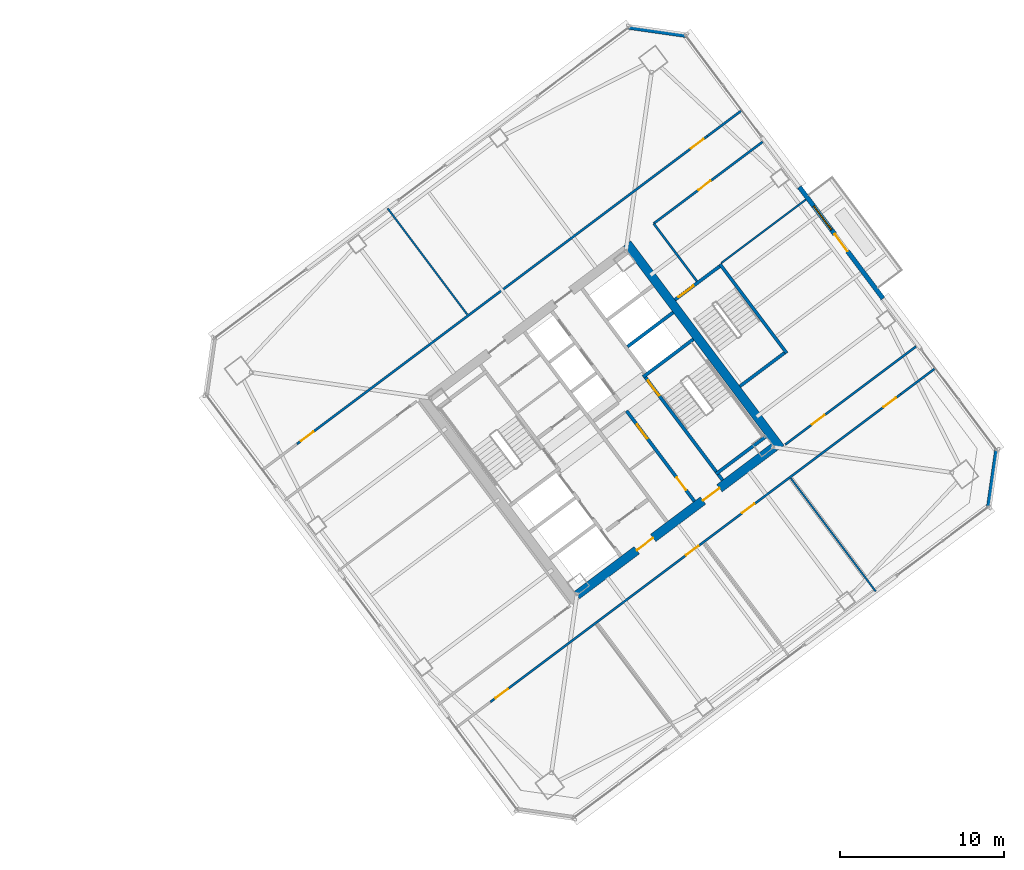
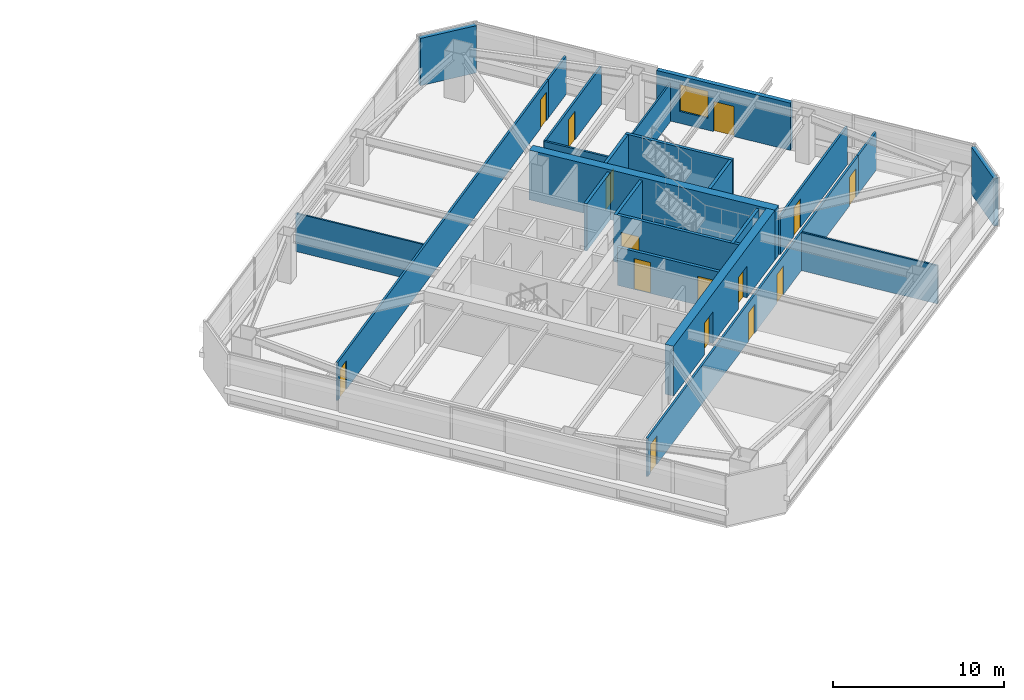
# One storey, part 37 of 44: 23 walls, 15 doors, 1 window, 16 openings.
"""IFC4 building model written with IfcOpenShell, lengths in metres."""

from ifc_helpers import new_model, si_unit, direction, frame, frame_2d, origin, place, context, subcontext, project, spatial, rectangle, extrude, material, layer, layer_set, type_object, element, fill, save


model = new_model("IFC4")

# Units and contexts
model_context = context("Model", 3, precision=1e-05, world=origin(), true_north=direction((0.0, 1.0)))
body_context = subcontext(model_context, "Body", "Model", "MODEL_VIEW")
ifc_project = project(units=[si_unit("LENGTHUNIT", "METRE"), si_unit("AREAUNIT", "SQUARE_METRE"), si_unit("VOLUMEUNIT", "CUBIC_METRE"), si_unit("PLANEANGLEUNIT", "RADIAN"), si_unit("MASSUNIT", "GRAM", prefix="KILO")], contexts=[model_context])

# Site, building, storey
site_placement = place(None, origin())
site = spatial("IfcSite", under=ifc_project, at=site_placement, CompositionType="ELEMENT")
building_placement = place(site_placement, origin())
building = spatial("IfcBuilding", under=site, at=building_placement, Name="Tashvorn Skyway Center", CompositionType="ELEMENT")
storey_placement = place(building_placement, frame((0.0, 0.0, 128.60009765625)))
storey = spatial("IfcBuildingStorey", under=building, at=storey_placement, Name="L34", CompositionType="ELEMENT", Elevation=128.60009765625)

# Wall
ifc_material_1 = material(Name="Concrete C60/75", Category="concrete")
ifc_layer_1 = layer(ifc_material_1, 0.550048828125)
ifc_layer_set_1 = layer_set([ifc_layer_1], Name="Concrete C60/75")
wall_type_1 = type_object("IfcWallType", Name="WALL-CORE-550", PredefinedType="SHEAR", material=ifc_layer_set_1)
wall_1_placement = place(storey_placement, frame((115.56396484375, 42.923095703125, 0.0), z_axis=(0.0, 0.0, 1.0), x_axis=(0.600005007985, -0.799996243986, 0.0)))
element("IfcWall", 1, at=wall_1_placement, inside=storey, type_object=wall_type_1, Name="Tower 2 L34 East Core Shear Wall", PredefinedType="SHEAR", context=body_context, shape_type="SweptSolid", body=[
    extrude(rectangle(XDim=15.60009765625, YDim=0.550048828125, at=frame_2d((7.800048828125, 0.0))), origin(), (0.0, 0.0, 1.0), 3.5498046875),
])

# Wall, openings, doors
wall_2_placement = place(storey_placement, frame((124.5390625, 30.498046875, 0.0), z_axis=(0.0, 0.0, 1.0), x_axis=(-0.799998054672, -0.600002593761, 0.0)))
wall_2 = element("IfcWall", 2, at=wall_2_placement, inside=storey, type_object=wall_type_1, Name="Tower 2 L34 South Core Shear Wall", PredefinedType="SHEAR", context=body_context, shape_type="SweptSolid", body=[
    extrude(rectangle(XDim=15.06005859375, YDim=0.550048828125, at=frame_2d((7.530029296875, 0.0))), origin(), (0.0, 0.0, 1.0), 3.5498046875),
])
opening_1_placement = place(wall_2_placement, frame((9.22998046875, 0.0, 0.0)))
opening_1 = element("IfcOpeningElement", 3, at=opening_1_placement, cuts=wall_2, Name="Opening D-FFL-1250", PredefinedType="OPENING", context=body_context, shape_type="SweptSolid", body=[
    extrude(rectangle(XDim=1.25, YDim=2.25, at=frame_2d((0.625, 1.125))), frame((0.0, 0.284912109375, 0.0), z_axis=(0.0, -1.0, 0.0), x_axis=(1.0, 0.0, 0.0)), (0.0, 0.0, 1.0), 0.570068359375),
])
opening_2_placement = place(wall_2_placement, frame((4.179931640625, 0.0, 0.0)))
opening_2 = element("IfcOpeningElement", 4, at=opening_2_placement, cuts=wall_2, Name="Opening D-FFL-1250", PredefinedType="OPENING", context=body_context, shape_type="SweptSolid", body=[
    extrude(rectangle(XDim=1.25, YDim=2.25, at=frame_2d((0.625, 1.125))), frame((0.0, 0.284912109375, 0.0), z_axis=(0.0, -1.0, 0.0), x_axis=(1.0, 0.0, 0.0)), (0.0, 0.0, 1.0), 0.570068359375),
])
ifc_material_2 = material(Name="Hollow galvanized steel fire door assembly", Category="steel")
door_type_1 = type_object("IfcDoorType", Name="DOOR-FFL-1250", OperationType="NOTDEFINED", PredefinedType="DOOR", material=ifc_material_2)
door_1_placement = place(opening_1_placement, origin())
door_1 = element("IfcDoor", 5, at=door_1_placement, inside=storey, type_object=door_type_1, Name="Tower 2 L34 Core South Firefighting Exit Door", OperationType="SINGLE_SWING_LEFT", OverallHeight=2.25, OverallWidth=1.25, PredefinedType="DOOR", context=body_context, shape_type="SweptSolid", body=[
    extrude(rectangle(XDim=1.25, YDim=2.25, at=frame_2d((0.625, 1.125))), frame((0.0, 0.02490234375, 0.0), z_axis=(0.0, -1.0, 0.0), x_axis=(1.0, 0.0, 0.0)), (0.0, 0.0, 1.0), 0.050048828125),
])
fill(opening_1, door_1)
door_2_placement = place(opening_2_placement, origin())
door_2 = element("IfcDoor", 6, at=door_2_placement, inside=storey, type_object=door_type_1, Name="Tower 2 L34 Core South Lift Lobby Door", OperationType="SINGLE_SWING_RIGHT", OverallHeight=2.25, OverallWidth=1.25, PredefinedType="DOOR", context=body_context, shape_type="SweptSolid", body=[
    extrude(rectangle(XDim=1.25, YDim=2.25, at=frame_2d((0.625, 1.125))), frame((0.0, 0.02490234375, 0.0), z_axis=(0.0, -1.0, 0.0), x_axis=(1.0, 0.0, 0.0)), (0.0, 0.0, 1.0), 0.050048828125),
])
fill(opening_2, door_2)

# Wall, openings, door, window
ifc_material_3 = material(Name="Precast concrete C40/50", Category="concrete")
ifc_layer_2 = layer(ifc_material_3, 0.280029296875)
ifc_layer_set_2 = layer_set([ifc_layer_2], Name="Precast concrete C40/50")
wall_type_2 = type_object("IfcWallType", Name="WALL-EXT-280", PredefinedType="SOLIDWALL", material=ifc_layer_set_2)
wall_3_placement = place(storey_placement, frame((126.073974609375, 46.367919921875, 0.0), z_axis=(0.0, 0.0, 1.0), x_axis=(0.600018382406, -0.799986212866, 0.0)))
wall_3 = element("IfcWall", 7, at=wall_3_placement, inside=storey, type_object=wall_type_2, Name="Tower 2 L34 East Terrace Portal Wall", PredefinedType="SOLIDWALL", context=body_context, shape_type="SweptSolid", body=[
    extrude(rectangle(XDim=8.5, YDim=0.280029296875, at=frame_2d((4.25, 0.0))), origin(), (0.0, 0.0, 1.0), 3.369873046875),
])
opening_3_placement = place(wall_3_placement, frame((3.60009765625, 0.0, 0.0)))
opening_3 = element("IfcOpeningElement", 8, at=opening_3_placement, cuts=wall_3, Name="Opening D-TER-1300", PredefinedType="OPENING", context=body_context, shape_type="SweptSolid", body=[
    extrude(rectangle(XDim=1.300048828125, YDim=2.14990234375, at=frame_2d((0.64990234375, 1.074951171875))), frame((0.0, 0.14990234375, 0.0), z_axis=(0.0, -1.0, 0.0), x_axis=(1.0, 0.0, 0.0)), (0.0, 0.0, 1.0), 0.300048828125),
])
opening_4_placement = place(wall_3_placement, frame((1.4599609375, 0.0, 0.85009765625)))
opening_4 = element("IfcOpeningElement", 9, at=opening_4_placement, cuts=wall_3, Name="Opening WIN-1800", PredefinedType="OPENING", context=body_context, shape_type="SweptSolid", body=[
    extrude(rectangle(XDim=1.800048828125, YDim=1.919921875, at=frame_2d((0.89990234375, 0.9599609375))), frame((0.0, 0.14990234375, 0.0), z_axis=(0.0, -1.0, 0.0), x_axis=(1.0, 0.0, 0.0)), (0.0, 0.0, 1.0), 0.300048828125),
])
ifc_material_4 = material(Name="Thermally broken bronze-anodized aluminium 6063-T6", Category="aluminium")
door_type_2 = type_object("IfcDoorType", Name="DOOR-TERR-1300", OperationType="NOTDEFINED", PredefinedType="DOOR", material=ifc_material_4)
door_3_placement = place(opening_3_placement, origin())
door_3 = element("IfcDoor", 10, at=door_3_placement, inside=storey, type_object=door_type_2, Name="Tower 2 L34 Terrace Access Door", OperationType="SINGLE_SWING_LEFT", OverallHeight=2.14990234375, OverallWidth=1.300048828125, PredefinedType="DOOR", context=body_context, shape_type="SweptSolid", body=[
    extrude(rectangle(XDim=1.300048828125, YDim=2.14990234375, at=frame_2d((0.64990234375, 1.074951171875))), frame((0.0, 0.02490234375, 0.0), z_axis=(0.0, -1.0, 0.0), x_axis=(1.0, 0.0, 0.0)), (0.0, 0.0, 1.0), 0.050048828125),
])
fill(opening_3, door_3)
ifc_material_5 = material(Name="Low-E solar-control double insulating safety glass", Category="glass")
window_type = type_object("IfcWindowType", Name="WIN-TERR-1800", PartitioningType="SINGLE_PANEL", PredefinedType="WINDOW", material=ifc_material_5)
window_placement = place(opening_4_placement, origin())
window = element("IfcWindow", 11, at=window_placement, inside=storey, type_object=window_type, Name="Tower 2 L34 Terrace Window", OverallHeight=1.919921875, OverallWidth=1.800048828125, PartitioningType="SINGLE_PANEL", PredefinedType="WINDOW", context=body_context, shape_type="SweptSolid", body=[
    extrude(rectangle(XDim=1.800048828125, YDim=1.919921875, at=frame_2d((0.89990234375, 0.9599609375))), frame((0.0, 0.030029296875, 0.0), z_axis=(0.0, -1.0, 0.0), x_axis=(1.0, 0.0, 0.0)), (0.0, 0.0, 1.0), 0.06005859375),
])
fill(opening_4, window)

# Walls
for number, where, z_axis, x_axis, name in (
    (12, (115.659912109375, 56.1201171875, 0.0), (0.0, 0.0, 1.0), (0.989949493661, -0.141421356237, 0.0), "Tower 2 L34 NE Precast Chamfer Wall"),
    (13, (138.1201171875, 30.340087890625, 0.0), (0.0, 0.0, 1.0), (-0.141421356237, -0.989949493661, 0.0), "Tower 2 L34 SE Precast Chamfer Wall"),
):
    element("IfcWall", number, at=place(storey_placement, frame(where, z_axis=z_axis, x_axis=x_axis)), inside=storey, type_object=wall_type_2, Name=name, PredefinedType="SOLIDWALL", context=body_context, shape_type="SweptSolid", body=[
        extrude(rectangle(XDim=3.53564453125, YDim=0.280029296875, at=frame_2d((1.767822265625, 0.0))), origin(), (0.0, 0.0, 1.0), 3.369873046875),
    ])
ifc_material_6 = material(Name="Gypsum board on cold-formed steel stud framing", Category="steel")
ifc_layer_3 = layer(ifc_material_6, 0.110107421875)
ifc_layer_set_3 = layer_set([ifc_layer_3], Name="Gypsum board on cold-formed steel stud framing")
wall_type_3 = type_object("IfcWallType", Name="WALL-PART-110", PredefinedType="PARTITIONING", material=ifc_layer_set_3)
wall_4_placement = place(storey_placement, frame((105.81201171875, 38.583984375, 0.0), z_axis=(0.0, 0.0, 1.0), x_axis=(-0.60000964496, 0.799992766189, 0.0)))
element("IfcWall", 14, at=wall_4_placement, inside=storey, type_object=wall_type_3, Name="Tower 2 L34 North Suite Partition 1", PredefinedType="PARTITIONING", context=body_context, shape_type="SweptSolid", body=[
    extrude(rectangle(XDim=8.10009765625, YDim=0.110107421875, at=frame_2d((4.050048828125, 0.0))), origin(), (0.0, 0.0, 1.0), 2.722900390625),
])
wall_5_placement = place(storey_placement, frame((130.72802734375, 21.696044921875, 0.0), z_axis=(0.0, 0.0, 1.0), x_axis=(-0.599995473644, 0.800003394747, 0.0)))
element("IfcWall", 15, at=wall_5_placement, inside=storey, type_object=wall_type_3, Name="Tower 2 L34 South Suite Partition 3", PredefinedType="PARTITIONING", context=body_context, shape_type="SweptSolid", body=[
    extrude(rectangle(XDim=8.630126953125, YDim=0.110107421875, at=frame_2d((4.31494140625, 0.0))), origin(), (0.0, 0.0, 1.0), 2.722900390625),
])
wall_6_placement = place(storey_placement, frame((126.464111328125, 45.597900390625, 0.0), z_axis=(0.0, 0.0, 1.0), x_axis=(-0.8000181681, -0.599975775102, 0.0)))
element("IfcWall", 16, at=wall_6_placement, inside=storey, type_object=wall_type_3, Name="Tower 2 L34 East Suite Partition 1", PredefinedType="PARTITIONING", context=body_context, shape_type="SweptSolid", body=[
    extrude(rectangle(XDim=6.449951171875, YDim=0.110107421875, at=frame_2d((3.22509765625, 0.0))), origin(), (0.0, 0.0, 1.0), 2.722900390625),
])
ifc_layer_4 = layer(ifc_material_6, 0.135009765625)
ifc_layer_set_4 = layer_set([ifc_layer_4], Name="Gypsum board on cold-formed steel stud framing")
wall_type_4 = type_object("IfcWallType", Name="WALL-PART-135", PredefinedType="PARTITIONING", material=ifc_layer_set_4)
wall_7_placement = place(storey_placement, frame((119.823974609375, 40.617919921875, 0.0), z_axis=(0.0, 0.0, 1.0), x_axis=(-0.599982243973, 0.800013316712, 0.0)))
element("IfcWall", 17, at=wall_7_placement, inside=storey, type_object=wall_type_4, Name="Tower 2 L34 Stair 3 Access Corridor Wall", PredefinedType="PARTITIONING", context=body_context, shape_type="SweptSolid", body=[
    extrude(rectangle(XDim=4.39990234375, YDim=0.135009765625, at=frame_2d((2.199951171875, 0.0))), origin(), (0.0, 0.0, 1.0), 2.722900390625),
])

# Wall, openings, doors
wall_8_placement = place(storey_placement, frame((95.419921875, 30.68994140625, 0.0), z_axis=(0.0, 0.0, 1.0), x_axis=(0.8, 0.6, 0.0)))
wall_8 = element("IfcWall", 18, at=wall_8_placement, inside=storey, type_object=wall_type_4, Name="Tower 2 L34 North Suite Wall", PredefinedType="PARTITIONING", context=body_context, shape_type="SweptSolid", body=[
    extrude(rectangle(XDim=31.300048828125, YDim=0.135009765625, at=frame_2d((15.64990234375, 0.0))), origin(), (0.0, 0.0, 1.0), 2.722900390625),
])
opening_5_placement = place(wall_8_placement, frame((0.300048828125, 0.0, 0.0)))
opening_5 = element("IfcOpeningElement", 19, at=opening_5_placement, cuts=wall_8, Name="Opening D-INT-950", PredefinedType="OPENING", context=body_context, shape_type="SweptSolid", body=[
    extrude(rectangle(XDim=0.949951171875, YDim=2.050048828125, at=frame_2d((0.47509765625, 1.02490234375))), frame((0.0, 0.077392578125, 0.0), z_axis=(0.0, -1.0, 0.0), x_axis=(1.0, 0.0, 0.0)), (0.0, 0.0, 1.0), 0.155029296875),
])
opening_6_placement = place(wall_8_placement, frame((30.050048828125, 0.0, 0.0)))
opening_6 = element("IfcOpeningElement", 20, at=opening_6_placement, cuts=wall_8, Name="Opening D-INT-950", PredefinedType="OPENING", context=body_context, shape_type="SweptSolid", body=[
    extrude(rectangle(XDim=0.949951171875, YDim=2.050048828125, at=frame_2d((0.47509765625, 1.02490234375))), frame((0.0, 0.077392578125, 0.0), z_axis=(0.0, -1.0, 0.0), x_axis=(1.0, 0.0, 0.0)), (0.0, 0.0, 1.0), 0.155029296875),
])
ifc_material_7 = material(Name="Solid-core architectural oak veneer door")
door_type_3 = type_object("IfcDoorType", Name="DOOR-INT-950", OperationType="NOTDEFINED", PredefinedType="DOOR", material=ifc_material_7)
door_4_placement = place(opening_5_placement, origin())
door_4 = element("IfcDoor", 21, at=door_4_placement, inside=storey, type_object=door_type_3, Name="Tower 2 L34 Open Plan Office Door", OperationType="SINGLE_SWING_RIGHT", OverallHeight=2.050048828125, OverallWidth=0.949951171875, PredefinedType="DOOR", context=body_context, shape_type="SweptSolid", body=[
    extrude(rectangle(XDim=0.949951171875, YDim=2.050048828125, at=frame_2d((0.47509765625, 1.02490234375))), frame((0.0, 0.02490234375, 0.0), z_axis=(0.0, -1.0, 0.0), x_axis=(1.0, 0.0, 0.0)), (0.0, 0.0, 1.0), 0.050048828125),
])
fill(opening_5, door_4)
door_5_placement = place(opening_6_placement, origin())
door_5 = element("IfcDoor", 22, at=door_5_placement, inside=storey, type_object=door_type_3, Name="Tower 2 L34 Open Plan Office Door", OperationType="SINGLE_SWING_LEFT", OverallHeight=2.050048828125, OverallWidth=0.949951171875, PredefinedType="DOOR", context=body_context, shape_type="SweptSolid", body=[
    extrude(rectangle(XDim=0.949951171875, YDim=2.050048828125, at=frame_2d((0.47509765625, 1.02490234375))), frame((0.0, 0.02490234375, 0.0), z_axis=(0.0, -1.0, 0.0), x_axis=(1.0, 0.0, 0.0)), (0.0, 0.0, 1.0), 0.050048828125),
])
fill(opening_6, door_5)

# Wall
wall_9_placement = place(storey_placement, frame((120.4599609375, 49.469970703125, 0.0), z_axis=(0.0, 0.0, 1.0), x_axis=(0.799977721118, 0.600029704027, 0.0)))
element("IfcWall", 23, at=wall_9_placement, inside=storey, type_object=wall_type_4, Name="Tower 2 L34 North-East Suite South Wall", PredefinedType="PARTITIONING", context=body_context, shape_type="SweptSolid", body=[
    extrude(rectangle(XDim=2.630126953125, YDim=0.135009765625, at=frame_2d((1.31494140625, 0.0))), origin(), (0.0, 0.0, 1.0), 2.722900390625),
])

# Wall, openings, doors
wall_10_placement = place(storey_placement, frame((132.261962890625, 33.73388671875, 0.0), z_axis=(0.0, 0.0, 1.0), x_axis=(-0.800003744006, -0.59999500796, 0.0)))
wall_10 = element("IfcWall", 24, at=wall_10_placement, inside=storey, type_object=wall_type_4, Name="Tower 2 L34 South Suite Wall", PredefinedType="PARTITIONING", context=body_context, shape_type="SweptSolid", body=[
    extrude(rectangle(XDim=31.2998046875, YDim=0.135009765625, at=frame_2d((15.64990234375, 0.0))), origin(), (0.0, 0.0, 1.0), 2.722900390625),
])
opening_7_placement = place(wall_10_placement, frame((29.969970703125, 0.0, 0.0)))
opening_7 = element("IfcOpeningElement", 25, at=opening_7_placement, cuts=wall_10, Name="Opening D-INT-950", PredefinedType="OPENING", context=body_context, shape_type="SweptSolid", body=[
    extrude(rectangle(XDim=0.949951171875, YDim=2.050048828125, at=frame_2d((0.47509765625, 1.02490234375))), frame((0.0, 0.077392578125, 0.0), z_axis=(0.0, -1.0, 0.0), x_axis=(1.0, 0.0, 0.0)), (0.0, 0.0, 1.0), 0.155029296875),
])
opening_8_placement = place(wall_10_placement, frame((15.429931640625, 0.0, 0.0)))
opening_8 = element("IfcOpeningElement", 26, at=opening_8_placement, cuts=wall_10, Name="Opening D-INT-950", PredefinedType="OPENING", context=body_context, shape_type="SweptSolid", body=[
    extrude(rectangle(XDim=0.949951171875, YDim=2.050048828125, at=frame_2d((0.47509765625, 1.02490234375))), frame((0.0, 0.077392578125, 0.0), z_axis=(0.0, -1.0, 0.0), x_axis=(1.0, 0.0, 0.0)), (0.0, 0.0, 1.0), 0.155029296875),
])
opening_9_placement = place(wall_10_placement, frame((11.146240234375, 0.0, 0.0)))
opening_9 = element("IfcOpeningElement", 27, at=opening_9_placement, cuts=wall_10, Name="Opening D-INT-950", PredefinedType="OPENING", context=body_context, shape_type="SweptSolid", body=[
    extrude(rectangle(XDim=0.949951171875, YDim=2.050048828125, at=frame_2d((0.47509765625, 1.02490234375))), frame((0.0, 0.077392578125, 0.0), z_axis=(0.0, -1.0, 0.0), x_axis=(1.0, 0.0, 0.0)), (0.0, 0.0, 1.0), 0.155029296875),
])
opening_10_placement = place(wall_10_placement, frame((0.3798828125, 0.0, 0.0)))
opening_10 = element("IfcOpeningElement", 28, at=opening_10_placement, cuts=wall_10, Name="Opening D-INT-950", PredefinedType="OPENING", context=body_context, shape_type="SweptSolid", body=[
    extrude(rectangle(XDim=0.949951171875, YDim=2.050048828125, at=frame_2d((0.47509765625, 1.02490234375))), frame((0.0, 0.077392578125, 0.0), z_axis=(0.0, -1.0, 0.0), x_axis=(1.0, 0.0, 0.0)), (0.0, 0.0, 1.0), 0.155029296875),
])
door_6_placement = place(opening_7_placement, origin())
door_6 = element("IfcDoor", 29, at=door_6_placement, inside=storey, type_object=door_type_3, Name="Tower 2 L34 Open Plan Office Door", OperationType="SINGLE_SWING_RIGHT", OverallHeight=2.050048828125, OverallWidth=0.949951171875, PredefinedType="DOOR", context=body_context, shape_type="SweptSolid", body=[
    extrude(rectangle(XDim=0.949951171875, YDim=2.050048828125, at=frame_2d((0.47509765625, 1.02490234375))), frame((0.0, 0.02490234375, 0.0), z_axis=(0.0, -1.0, 0.0), x_axis=(1.0, 0.0, 0.0)), (0.0, 0.0, 1.0), 0.050048828125),
])
fill(opening_7, door_6)
door_7_placement = place(opening_8_placement, origin())
door_7 = element("IfcDoor", 30, at=door_7_placement, inside=storey, type_object=door_type_3, Name="Tower 2 L34 Boardroom Door", OperationType="SINGLE_SWING_LEFT", OverallHeight=2.050048828125, OverallWidth=0.949951171875, PredefinedType="DOOR", context=body_context, shape_type="SweptSolid", body=[
    extrude(rectangle(XDim=0.949951171875, YDim=2.050048828125, at=frame_2d((0.47509765625, 1.02490234375))), frame((0.0, 0.02490234375, 0.0), z_axis=(0.0, -1.0, 0.0), x_axis=(1.0, 0.0, 0.0)), (0.0, 0.0, 1.0), 0.050048828125),
])
fill(opening_8, door_7)
door_8_placement = place(opening_9_placement, origin())
door_8 = element("IfcDoor", 31, at=door_8_placement, inside=storey, type_object=door_type_3, Name="Tower 2 L34 Boardroom Door", OperationType="SINGLE_SWING_RIGHT", OverallHeight=2.050048828125, OverallWidth=0.949951171875, PredefinedType="DOOR", context=body_context, shape_type="SweptSolid", body=[
    extrude(rectangle(XDim=0.949951171875, YDim=2.050048828125, at=frame_2d((0.47509765625, 1.02490234375))), frame((0.0, 0.02490234375, 0.0), z_axis=(0.0, -1.0, 0.0), x_axis=(1.0, 0.0, 0.0)), (0.0, 0.0, 1.0), 0.050048828125),
])
fill(opening_9, door_8)
door_9_placement = place(opening_10_placement, origin())
door_9 = element("IfcDoor", 32, at=door_9_placement, inside=storey, type_object=door_type_3, Name="Tower 2 L34 Staff Fitness Club Door", OperationType="SINGLE_SWING_LEFT", OverallHeight=2.050048828125, OverallWidth=0.949951171875, PredefinedType="DOOR", context=body_context, shape_type="SweptSolid", body=[
    extrude(rectangle(XDim=0.949951171875, YDim=2.050048828125, at=frame_2d((0.47509765625, 1.02490234375))), frame((0.0, 0.02490234375, 0.0), z_axis=(0.0, -1.0, 0.0), x_axis=(1.0, 0.0, 0.0)), (0.0, 0.0, 1.0), 0.050048828125),
])
fill(opening_10, door_9)

# Wall
wall_11_placement = place(storey_placement, frame((132.261962890625, 33.73388671875, 0.0), z_axis=(0.0, 0.0, 1.0), x_axis=(0.799977721118, 0.600029704027, 0.0)))
element("IfcWall", 33, at=wall_11_placement, inside=storey, type_object=wall_type_4, Name="Tower 2 L34 South-East Suite North Wall", PredefinedType="PARTITIONING", context=body_context, shape_type="SweptSolid", body=[
    extrude(rectangle(XDim=2.630126953125, YDim=0.135009765625, at=frame_2d((1.31494140625, 0.0))), origin(), (0.0, 0.0, 1.0), 2.722900390625),
])

# Wall, opening, door
wall_12_placement = place(storey_placement, frame((123.823974609375, 49.117919921875, 0.0), z_axis=(0.0, 0.0, 1.0), x_axis=(-0.799996470201, -0.60000470637, 0.0)))
wall_12 = element("IfcWall", 34, at=wall_12_placement, inside=storey, type_object=wall_type_4, Name="Tower 2 L34 East Suite North Wall", PredefinedType="PARTITIONING", context=body_context, shape_type="SweptSolid", body=[
    extrude(rectangle(XDim=8.2998046875, YDim=0.135009765625, at=frame_2d((4.14990234375, 0.0))), origin(), (0.0, 0.0, 1.0), 2.722900390625),
])
opening_11_placement = place(wall_12_placement, frame((3.949951171875, 0.0, 0.0)))
opening_11 = element("IfcOpeningElement", 35, at=opening_11_placement, cuts=wall_12, Name="Opening D-INT-950", PredefinedType="OPENING", context=body_context, shape_type="SweptSolid", body=[
    extrude(rectangle(XDim=0.949951171875, YDim=2.050048828125, at=frame_2d((0.47509765625, 1.02490234375))), frame((0.0, 0.077392578125, 0.0), z_axis=(0.0, -1.0, 0.0), x_axis=(1.0, 0.0, 0.0)), (0.0, 0.0, 1.0), 0.155029296875),
])
door_10_placement = place(opening_11_placement, origin())
door_10 = element("IfcDoor", 36, at=door_10_placement, inside=storey, type_object=door_type_3, Name="Tower 2 L34 Executive Study Lounge Door", OperationType="SINGLE_SWING_RIGHT", OverallHeight=2.050048828125, OverallWidth=0.949951171875, PredefinedType="DOOR", context=body_context, shape_type="SweptSolid", body=[
    extrude(rectangle(XDim=0.949951171875, YDim=2.050048828125, at=frame_2d((0.47509765625, 1.02490234375))), frame((0.0, 0.02490234375, 0.0), z_axis=(0.0, -1.0, 0.0), x_axis=(1.0, 0.0, 0.0)), (0.0, 0.0, 1.0), 0.050048828125),
])
fill(opening_11, door_10)

wall_13_placement = place(storey_placement, frame((125.2080078125, 30.656005859375, 0.0), z_axis=(0.0, 0.0, 1.0), x_axis=(0.800005876956, 0.599992163979, 0.0)))
wall_13 = element("IfcWall", 37, at=wall_13_placement, inside=storey, type_object=wall_type_4, Name="Tower 2 L34 East Suite South Wall", PredefinedType="PARTITIONING", context=body_context, shape_type="SweptSolid", body=[
    extrude(rectangle(XDim=9.969970703125, YDim=0.135009765625, at=frame_2d((4.98486328125, 0.0))), origin(), (0.0, 0.0, 1.0), 2.722900390625),
])
opening_12_placement = place(wall_13_placement, frame((2.044921875, 0.0, 0.0)))
opening_12 = element("IfcOpeningElement", 38, at=opening_12_placement, cuts=wall_13, Name="Opening D-INT-950", PredefinedType="OPENING", context=body_context, shape_type="SweptSolid", body=[
    extrude(rectangle(XDim=0.949951171875, YDim=2.050048828125, at=frame_2d((0.47509765625, 1.02490234375))), frame((0.0, 0.077392578125, 0.0), z_axis=(0.0, -1.0, 0.0), x_axis=(1.0, 0.0, 0.0)), (0.0, 0.0, 1.0), 0.155029296875),
])
door_11_placement = place(opening_12_placement, origin())
door_11 = element("IfcDoor", 39, at=door_11_placement, inside=storey, type_object=door_type_3, Name="Tower 2 L34 Public Restroom Door", OperationType="SINGLE_SWING_LEFT", OverallHeight=2.050048828125, OverallWidth=0.949951171875, PredefinedType="DOOR", context=body_context, shape_type="SweptSolid", body=[
    extrude(rectangle(XDim=0.949951171875, YDim=2.050048828125, at=frame_2d((0.47509765625, 1.02490234375))), frame((0.0, 0.02490234375, 0.0), z_axis=(0.0, -1.0, 0.0), x_axis=(1.0, 0.0, 0.0)), (0.0, 0.0, 1.0), 0.050048828125),
])
fill(opening_12, door_11)

# Wall
ifc_material_8 = material(Name="Concrete C40/50", Category="concrete")
ifc_layer_5 = layer(ifc_material_8, 0.199951171875)
ifc_layer_set_5 = layer_set([ifc_layer_5], Name="Concrete C40/50")
wall_type_5 = type_object("IfcWallType", Name="WALL-SHAFT-200", PredefinedType="SOLIDWALL", material=ifc_layer_set_5)
wall_14_placement = place(storey_placement, frame((115.590087890625, 36.6298828125, 0.0), z_axis=(0.0, 0.0, 1.0), x_axis=(0.799974743577, 0.600033673754, 0.0)))
element("IfcWall", 40, at=wall_14_placement, inside=storey, type_object=wall_type_5, Name="Tower 2 L34 High-Rise Shaft Divider", PredefinedType="SOLIDWALL", context=body_context, shape_type="SweptSolid", body=[
    extrude(rectangle(XDim=3.47998046875, YDim=0.199951171875, at=frame_2d((1.739990234375, 0.0))), origin(), (0.0, 0.0, 1.0), 3.369873046875),
])

# Wall, openings, doors
wall_15_placement = place(storey_placement, frame((119.669921875, 27.18994140625, 0.0), z_axis=(0.0, 0.0, 1.0), x_axis=(-0.599988677396, 0.800008491828, 0.0)))
wall_15 = element("IfcWall", 41, at=wall_15_placement, inside=storey, type_object=wall_type_5, Name="Tower 2 L34 Low-Rise Core Wall", PredefinedType="SOLIDWALL", context=body_context, shape_type="SweptSolid", body=[
    extrude(rectangle(XDim=6.89990234375, YDim=0.199951171875, at=frame_2d((3.449951171875, 0.0))), origin(), (0.0, 0.0, 1.0), 2.722900390625),
])
opening_13_placement = place(wall_15_placement, frame((0.85009765625, 0.0, 0.0)))
opening_13 = element("IfcOpeningElement", 42, at=opening_13_placement, cuts=wall_15, Name="Opening D-RT-950", PredefinedType="OPENING", context=body_context, shape_type="SweptSolid", body=[
    extrude(rectangle(XDim=0.949951171875, YDim=2.050048828125, at=frame_2d((0.47509765625, 1.02490234375))), frame((0.0, 0.10986328125, 0.0), z_axis=(0.0, -1.0, 0.0), x_axis=(1.0, 0.0, 0.0)), (0.0, 0.0, 1.0), 0.219970703125),
])
opening_14_placement = place(wall_15_placement, frame((4.800048828125, 0.0, 0.0)))
opening_14 = element("IfcOpeningElement", 43, at=opening_14_placement, cuts=wall_15, Name="Opening D-RT-1050", PredefinedType="OPENING", context=body_context, shape_type="SweptSolid", body=[
    extrude(rectangle(XDim=1.050048828125, YDim=2.199951171875, at=frame_2d((0.52490234375, 1.10009765625))), frame((0.0, 0.10986328125, 0.0), z_axis=(0.0, -1.0, 0.0), x_axis=(1.0, 0.0, 0.0)), (0.0, 0.0, 1.0), 0.219970703125),
])
door_type_4 = type_object("IfcDoorType", Name="DOOR-RATED-1050", OperationType="NOTDEFINED", PredefinedType="DOOR", material=ifc_material_2)
door_12_placement = place(opening_14_placement, origin())
door_12 = element("IfcDoor", 44, at=door_12_placement, inside=storey, type_object=door_type_4, Name="Tower 2 L34 Freed Core Room Door", OperationType="SINGLE_SWING_RIGHT", OverallHeight=2.199951171875, OverallWidth=1.050048828125, PredefinedType="DOOR", context=body_context, shape_type="SweptSolid", body=[
    extrude(rectangle(XDim=1.050048828125, YDim=2.199951171875, at=frame_2d((0.52490234375, 1.10009765625))), frame((0.0, 0.02490234375, 0.0), z_axis=(0.0, -1.0, 0.0), x_axis=(1.0, 0.0, 0.0)), (0.0, 0.0, 1.0), 0.050048828125),
])
fill(opening_14, door_12)
door_type_5 = type_object("IfcDoorType", Name="DOOR-RATED-950", OperationType="NOTDEFINED", PredefinedType="DOOR", material=ifc_material_2)
door_13_placement = place(opening_13_placement, origin())
door_13 = element("IfcDoor", 45, at=door_13_placement, inside=storey, type_object=door_type_5, Name="Tower 2 L34 Core Print Room Door", OperationType="SINGLE_SWING_LEFT", OverallHeight=2.050048828125, OverallWidth=0.949951171875, PredefinedType="DOOR", context=body_context, shape_type="SweptSolid", body=[
    extrude(rectangle(XDim=0.949951171875, YDim=2.050048828125, at=frame_2d((0.47509765625, 1.02490234375))), frame((0.0, 0.02490234375, 0.0), z_axis=(0.0, -1.0, 0.0), x_axis=(1.0, 0.0, 0.0)), (0.0, 0.0, 1.0), 0.050048828125),
])
fill(opening_13, door_13)

# Wall, opening, door
ifc_layer_6 = layer(ifc_material_8, 0.199951171875)
ifc_layer_set_6 = layer_set([ifc_layer_6], Name="Concrete C40/50")
wall_type_6 = type_object("IfcWallType", Name="WALL-STSHF-200", PredefinedType="SHEAR", material=ifc_layer_set_6)
wall_16_placement = place(storey_placement, frame((116.56005859375, 34.919921875, 0.0), z_axis=(0.0, 0.0, 1.0), x_axis=(0.59999029481, -0.8000072788, 0.0)))
wall_16 = element("IfcWall", 46, at=wall_16_placement, inside=storey, type_object=wall_type_6, Name="Tower 2 L34 Stair 2 Enclosure Wall", PredefinedType="SHEAR", context=body_context, shape_type="SweptSolid", body=[
    extrude(rectangle(XDim=8.0498046875, YDim=0.199951171875, at=frame_2d((4.02490234375, 0.0))), origin(), (0.0, 0.0, 1.0), 3.369873046875),
])
opening_15_placement = place(wall_16_placement, frame((0.449951171875, 0.0, 0.0)))
opening_15 = element("IfcOpeningElement", 47, at=opening_15_placement, cuts=wall_16, Name="Opening D-ST-1150", PredefinedType="OPENING", context=body_context, shape_type="SweptSolid", body=[
    extrude(rectangle(XDim=1.14990234375, YDim=2.199951171875, at=frame_2d((0.574951171875, 1.10009765625))), frame((0.0, 0.10986328125, 0.0), z_axis=(0.0, -1.0, 0.0), x_axis=(1.0, 0.0, 0.0)), (0.0, 0.0, 1.0), 0.219970703125),
])
door_type_6 = type_object("IfcDoorType", Name="DOOR-STAIR-1150", OperationType="NOTDEFINED", PredefinedType="DOOR", material=ifc_material_2)
door_14_placement = place(opening_15_placement, origin())
door_14 = element("IfcDoor", 48, at=door_14_placement, inside=storey, type_object=door_type_6, Name="Tower 2 L34 Exit Stair 2 Door", OperationType="SINGLE_SWING_RIGHT", OverallHeight=2.199951171875, OverallWidth=1.14990234375, PredefinedType="DOOR", context=body_context, shape_type="SweptSolid", body=[
    extrude(rectangle(XDim=1.14990234375, YDim=2.199951171875, at=frame_2d((0.574951171875, 1.10009765625))), frame((0.0, 0.02490234375, 0.0), z_axis=(0.0, -1.0, 0.0), x_axis=(1.0, 0.0, 0.0)), (0.0, 0.0, 1.0), 0.050048828125),
])
fill(opening_15, door_14)

# Walls
for number, where, z_axis, x_axis, name in (
    (49, (116.5400390625, 34.780029296875, 0.0), (0.0, 0.0, 1.0), (0.800015298837, 0.599979601008, 0.0), "Tower 2 L34 Stair 2 North Wall"),
    (50, (120.97998046875, 28.860107421875, 0.0), (0.0, 0.0, 1.0), (0.800015298837, 0.599979601008, 0.0), "Tower 2 L34 Stair 2 South Wall"),
):
    element("IfcWall", number, at=place(storey_placement, frame(where, z_axis=z_axis, x_axis=x_axis)), inside=storey, type_object=wall_type_6, Name=name, PredefinedType="SHEAR", context=body_context, shape_type="SweptSolid", body=[
        extrude(rectangle(XDim=3.829833984375, YDim=0.199951171875, at=frame_2d((1.9150390625, 0.0))), origin(), (0.0, 0.0, 1.0), 3.369873046875),
    ])
wall_17_placement = place(storey_placement, frame((125.303955078125, 36.22802734375, 0.0), z_axis=(0.0, 0.0, 1.0), x_axis=(-0.59998851072, 0.800008616831, 0.0)))
element("IfcWall", 51, at=wall_17_placement, inside=storey, type_object=wall_type_6, Name="Tower 2 L34 Stair 3 Outer Wall", PredefinedType="SHEAR", context=body_context, shape_type="SweptSolid", body=[
    extrude(rectangle(XDim=6.7998046875, YDim=0.199951171875, at=frame_2d((3.39990234375, 0.0))), origin(), (0.0, 0.0, 1.0), 3.369873046875),
])

# Wall, opening, door
wall_18_placement = place(storey_placement, frame((121.2041015625, 41.528076171875, 0.0), z_axis=(0.0, 0.0, 1.0), x_axis=(-0.800017232136, -0.599977023131, 0.0)))
wall_18 = element("IfcWall", 52, at=wall_18_placement, inside=storey, type_object=wall_type_6, Name="Tower 2 L34 Stair 3 Enclosure Wall", PredefinedType="SHEAR", context=body_context, shape_type="SweptSolid", body=[
    extrude(rectangle(XDim=3.400146484375, YDim=0.199951171875, at=frame_2d((1.7001953125, 0.0))), origin(), (0.0, 0.0, 1.0), 3.369873046875),
])
opening_16_placement = place(wall_18_placement, frame((1.97509765625, 0.0, 0.0)))
opening_16 = element("IfcOpeningElement", 53, at=opening_16_placement, cuts=wall_18, Name="Opening D-ST-1150", PredefinedType="OPENING", context=body_context, shape_type="SweptSolid", body=[
    extrude(rectangle(XDim=1.14990234375, YDim=2.199951171875, at=frame_2d((0.574951171875, 1.10009765625))), frame((0.0, 0.10986328125, 0.0), z_axis=(0.0, -1.0, 0.0), x_axis=(1.0, 0.0, 0.0)), (0.0, 0.0, 1.0), 0.219970703125),
])
door_15_placement = place(opening_16_placement, origin())
door_15 = element("IfcDoor", 54, at=door_15_placement, inside=storey, type_object=door_type_6, Name="Tower 2 L34 Exit Stair 3 Door", OperationType="SINGLE_SWING_RIGHT", OverallHeight=2.199951171875, OverallWidth=1.14990234375, PredefinedType="DOOR", context=body_context, shape_type="SweptSolid", body=[
    extrude(rectangle(XDim=1.14990234375, YDim=2.199951171875, at=frame_2d((0.574951171875, 1.10009765625))), frame((0.0, 0.02490234375, 0.0), z_axis=(0.0, -1.0, 0.0), x_axis=(1.0, 0.0, 0.0)), (0.0, 0.0, 1.0), 0.050048828125),
])
fill(opening_16, door_15)

# Wall
wall_19_placement = place(storey_placement, frame((122.444091796875, 34.2080078125, 0.0), z_axis=(0.0, 0.0, 1.0), x_axis=(0.79999138319, 0.600011488909, 0.0)))
element("IfcWall", 55, at=wall_19_placement, inside=storey, type_object=wall_type_6, Name="Tower 2 L34 Stair 3 South Wall", PredefinedType="SHEAR", context=body_context, shape_type="SweptSolid", body=[
    extrude(rectangle(XDim=3.39990234375, YDim=0.199951171875, at=frame_2d((1.699951171875, 0.0))), origin(), (0.0, 0.0, 1.0), 3.369873046875),
])

save(model, "model.ifc")
